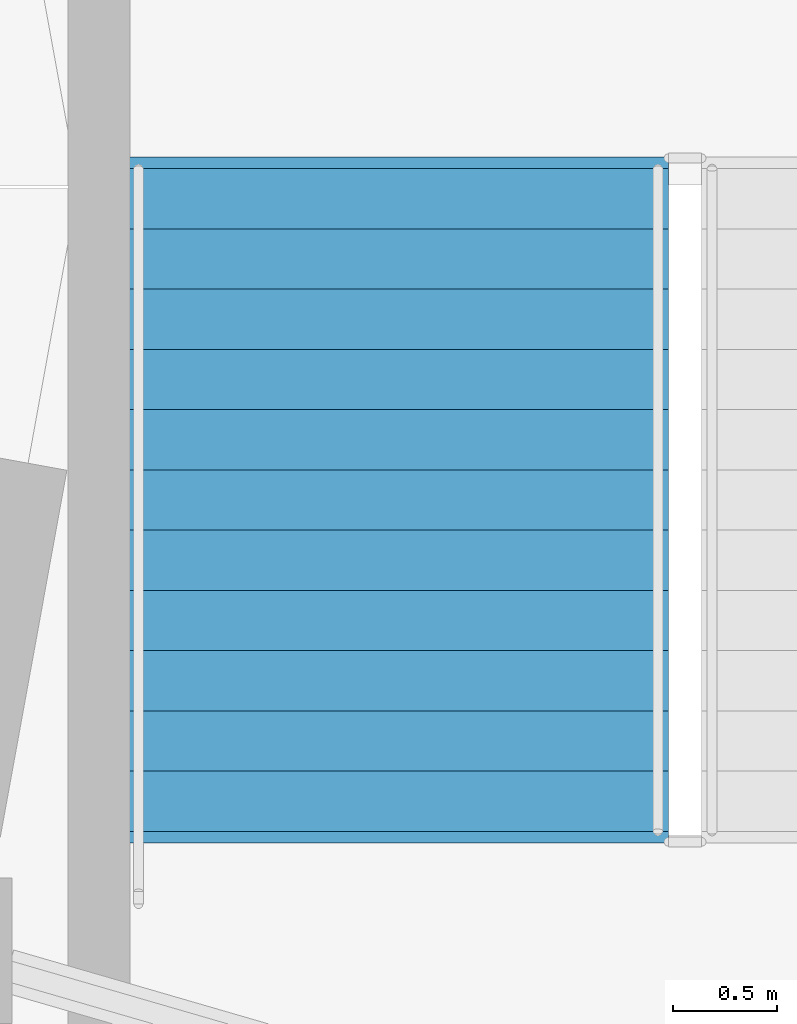
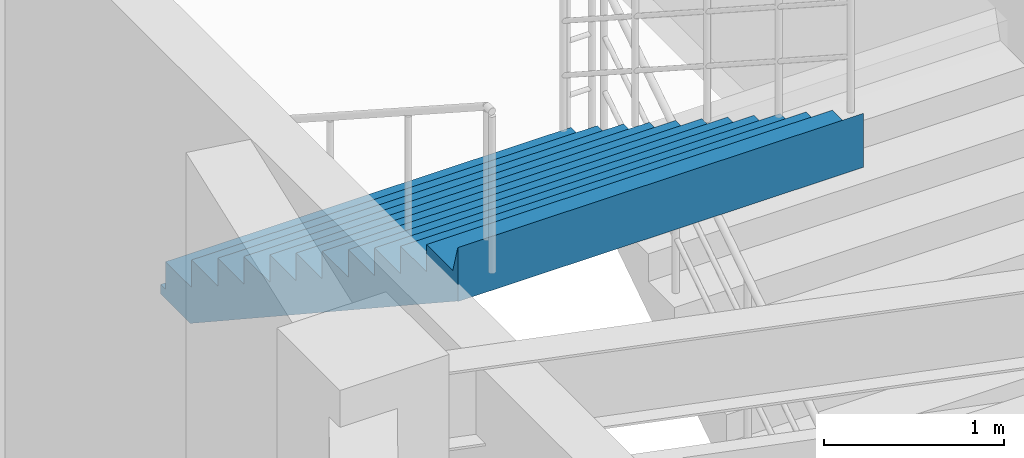
# One storey, part 35 of 45: 1 stair flight, 1 element without a shape of its own.
"""IFC4 building model written with IfcOpenShell, lengths in metres."""

from ifc_helpers import new_model, si_unit, direction, frame, origin, place, context, subcontext, project, spatial, polyline, outline, extrude, material, type_object, element, aggregate, save


model = new_model("IFC4")

# Units and contexts
model_context = context("Model", 3, precision=1e-05, world=origin(), true_north=direction((0.0, 1.0)))
body_context = subcontext(model_context, "Body", "Model", "MODEL_VIEW")
ifc_project = project(units=[si_unit("LENGTHUNIT", "METRE"), si_unit("AREAUNIT", "SQUARE_METRE"), si_unit("VOLUMEUNIT", "CUBIC_METRE"), si_unit("PLANEANGLEUNIT", "RADIAN"), si_unit("MASSUNIT", "GRAM", prefix="KILO")], contexts=[model_context])

# Site, building, storey
site_placement = place(None, origin())
site = spatial("IfcSite", under=ifc_project, at=site_placement, CompositionType="ELEMENT")
building_placement = place(site_placement, origin())
building = spatial("IfcBuilding", under=site, at=building_placement, Name="Cinderbank Siding Concert Hall", CompositionType="ELEMENT")
storey_placement = place(building_placement, frame((0.0, 0.0, 19.199951171875)))
storey = spatial("IfcBuildingStorey", under=building, at=storey_placement, Name="L05", CompositionType="ELEMENT", Elevation=19.199951171875)

# Stair, stair flight
ifc_material = material(Name="Reinforced concrete AS 3600 N50 (50 MPa)", Category="concrete")
stair_type = type_object("IfcStairType", Name="STR-B Dogleg Exit Stair 2600mm", PredefinedType="HALF_TURN_STAIR", material=ifc_material)
stair_placement = place(storey_placement, origin())
stair = element("IfcStair", 1, at=stair_placement, inside=storey, type_object=stair_type, Name="L05 Fire-isolated Exit Stair ST-03", PredefinedType="HALF_TURN_STAIR")
stair_flight_type = type_object("IfcStairFlightType", Name="SFL-B Concrete Stair Flight 2600mm", PredefinedType="STRAIGHT", material=ifc_material)
stair_flight_placement = place(storey_placement, frame((143.139892578125, 44.090087890625, 2.25), z_axis=(0.0, 0.0, 1.0), x_axis=(0.0, -1.0, 0.0)))
stair_flight = element("IfcStairFlight", 2, at=stair_flight_placement, type_object=stair_flight_type, Name="ST-03 flight 2", NumberOfRisers=12, NumberOfTreads=11, PredefinedType="STRAIGHT", RiserHeight=0.1875, TreadLength=0.29, context=body_context, shape_type="SweptSolid", body=[
    extrude(outline(polyline([(0.0, 0.0), (0.0, 0.1875), (0.2900390625, 0.1875), (0.2900390625, 0.375), (0.580078125, 0.375), (0.580078125, 0.5625), (0.8701171875, 0.5625), (0.8701171875, 0.75), (1.159912109375, 0.75), (1.159912109375, 0.9375), (1.449951171875, 0.9375), (1.449951171875, 1.125), (1.739990234375, 1.125), (1.739990234375, 1.3125), (2.030029296875, 1.3125), (2.030029296875, 1.5), (2.320068359375, 1.5), (2.320068359375, 1.6875), (2.610107421875, 1.6875), (2.610107421875, 1.875), (2.89990234375, 1.875), (2.89990234375, 2.0625), (3.18994140625, 2.0625), (3.244873046875, 2.25), (3.244873046875, 1.884033203125), (3.24462890625, 1.88427734375), (3.24462890625, 1.884521484375), (3.24462890625, 1.884765625), (3.24462890625, 1.885009765625), (3.24462890625, 1.88525390625), (3.24462890625, 1.885498046875), (3.24462890625, 1.8857421875), (3.24462890625, 1.885986328125), (3.24462890625, 1.88623046875), (3.24462890625, 1.886474609375), (3.24462890625, 1.88671875), (3.24462890625, 1.886962890625), (3.244384765625, 1.886962890625), (3.244384765625, 1.88671875), (3.244384765625, 1.886474609375), (3.244384765625, 1.88623046875), (3.244384765625, 1.885986328125), (3.244384765625, 1.8857421875), (3.244384765625, 1.885498046875), (3.244384765625, 1.88525390625), (3.244384765625, 1.885009765625), (3.244384765625, 1.884765625), (3.244384765625, 1.884521484375), (3.244384765625, 1.88427734375), (3.244384765625, 1.884033203125), (3.244140625, 1.88427734375), (3.244140625, 1.884521484375), (3.244140625, 1.884765625), (3.244140625, 1.885009765625), (3.244140625, 1.88525390625), (3.244140625, 1.885498046875), (3.244140625, 1.8857421875), (3.244140625, 1.885986328125), (3.244140625, 1.88623046875), (3.244140625, 1.886474609375), (3.244140625, 1.88671875), (3.244140625, 1.886962890625), (3.243896484375, 1.886962890625), (3.243896484375, 1.88671875), (3.243896484375, 1.886474609375), (3.243896484375, 1.88623046875), (3.243896484375, 1.885986328125), (3.243896484375, 1.8857421875), (3.243896484375, 1.885498046875), (3.243896484375, 1.88525390625), (3.243896484375, 1.885009765625), (3.243896484375, 1.884765625), (3.243896484375, 1.884521484375), (3.243896484375, 1.88427734375), (3.243896484375, 1.884033203125), (3.24365234375, 1.88427734375), (3.24365234375, 1.884521484375), (3.24365234375, 1.884765625), (3.24365234375, 1.885009765625), (3.24365234375, 1.88525390625), (3.24365234375, 1.885498046875), (3.24365234375, 1.8857421875), (3.24365234375, 1.885986328125), (3.24365234375, 1.88623046875), (3.24365234375, 1.886474609375), (3.24365234375, 1.88671875), (3.24365234375, 1.886962890625), (3.243408203125, 1.886962890625), (3.243408203125, 1.88671875), (3.243408203125, 1.886474609375), (3.243408203125, 1.88623046875), (3.243408203125, 1.885986328125), (3.243408203125, 1.8857421875), (3.243408203125, 1.885498046875), (3.243408203125, 1.88525390625), (3.243408203125, 1.885009765625), (3.243408203125, 1.884765625), (3.243408203125, 1.884521484375), (3.243408203125, 1.88427734375), (3.243408203125, 1.884033203125), (3.2431640625, 1.88427734375), (3.2431640625, 1.884521484375), (3.2431640625, 1.884765625), (3.2431640625, 1.885009765625), (3.2431640625, 1.88525390625), (3.2431640625, 1.885498046875), (3.2431640625, 1.8857421875), (3.2431640625, 1.885986328125), (3.2431640625, 1.88623046875), (3.2431640625, 1.886474609375), (3.2431640625, 1.88671875), (3.2431640625, 1.886962890625), (3.242919921875, 1.886962890625), (3.242919921875, 1.88671875), (3.242919921875, 1.886474609375), (3.242919921875, 1.88623046875), (3.242919921875, 1.885986328125), (3.242919921875, 1.8857421875), (3.242919921875, 1.885498046875), (3.242919921875, 1.88525390625), (3.242919921875, 1.885009765625), (3.242919921875, 1.884765625), (3.242919921875, 1.884521484375), (3.242919921875, 1.88427734375), (3.242919921875, 1.884033203125), (3.24267578125, 1.88427734375), (3.24267578125, 1.884521484375), (3.24267578125, 1.884765625), (3.24267578125, 1.885009765625), (3.24267578125, 1.88525390625), (3.24267578125, 1.885498046875), (3.24267578125, 1.8857421875), (3.24267578125, 1.885986328125), (3.24267578125, 1.88623046875), (3.24267578125, 1.886474609375), (3.24267578125, 1.88671875), (3.24267578125, 1.886962890625), (3.242431640625, 1.886962890625), (3.242431640625, 1.88671875), (3.242431640625, 1.886474609375), (3.242431640625, 1.88623046875), (3.242431640625, 1.885986328125), (3.242431640625, 1.8857421875), (3.242431640625, 1.885498046875), (3.242431640625, 1.88525390625), (3.242431640625, 1.885009765625), (3.242431640625, 1.884765625), (3.242431640625, 1.884521484375), (3.242431640625, 1.88427734375), (3.242431640625, 1.884033203125), (3.2421875, 1.88427734375), (3.2421875, 1.884521484375), (3.2421875, 1.884765625), (3.2421875, 1.885009765625), (3.2421875, 1.88525390625), (3.2421875, 1.885498046875), (3.2421875, 1.8857421875), (3.2421875, 1.885986328125), (3.2421875, 1.88623046875), (3.2421875, 1.886474609375), (3.2421875, 1.88671875), (3.2421875, 1.886962890625), (3.241943359375, 1.886962890625), (3.241943359375, 1.88671875), (3.241943359375, 1.886474609375), (3.241943359375, 1.88623046875), (3.241943359375, 1.885986328125), (3.241943359375, 1.8857421875), (3.241943359375, 1.885498046875), (3.241943359375, 1.88525390625), (3.241943359375, 1.885009765625), (3.241943359375, 1.884765625), (3.241943359375, 1.884521484375), (3.241943359375, 1.88427734375), (3.241943359375, 1.884033203125), (3.24169921875, 1.88427734375), (3.24169921875, 1.884521484375), (3.24169921875, 1.884765625), (3.24169921875, 1.885009765625), (3.24169921875, 1.88525390625), (3.24169921875, 1.885498046875), (3.24169921875, 1.8857421875), (3.24169921875, 1.885986328125), (3.24169921875, 1.88623046875), (3.24169921875, 1.886474609375), (3.24169921875, 1.88671875), (3.24169921875, 1.886962890625), (3.241455078125, 1.886962890625), (3.241455078125, 1.88671875), (3.241455078125, 1.886474609375), (3.241455078125, 1.88623046875), (3.241455078125, 1.885986328125), (3.241455078125, 1.8857421875), (3.241455078125, 1.885498046875), (3.241455078125, 1.88525390625), (3.241455078125, 1.885009765625), (3.241455078125, 1.884765625), (3.241455078125, 1.884521484375), (3.241455078125, 1.88427734375), (3.241455078125, 1.884033203125), (3.2412109375, 1.88427734375), (3.2412109375, 1.884521484375), (3.2412109375, 1.884765625), (3.2412109375, 1.885009765625), (3.2412109375, 1.88525390625), (3.2412109375, 1.885498046875), (3.2412109375, 1.8857421875), (3.2412109375, 1.885986328125), (3.2412109375, 1.88623046875), (3.2412109375, 1.886474609375), (3.2412109375, 1.88671875), (3.2412109375, 1.886962890625), (3.240966796875, 1.886962890625), (3.240966796875, 1.88671875), (3.240966796875, 1.886474609375), (3.240966796875, 1.88623046875), (3.240966796875, 1.885986328125), (3.240966796875, 1.8857421875), (3.240966796875, 1.885498046875), (3.240966796875, 1.88525390625), (3.240966796875, 1.885009765625), (3.240966796875, 1.884765625), (3.240966796875, 1.884521484375), (3.240966796875, 1.88427734375), (3.240966796875, 1.884033203125), (3.24072265625, 1.88427734375), (3.24072265625, 1.884521484375), (3.24072265625, 1.884765625), (3.24072265625, 1.885009765625), (3.24072265625, 1.88525390625), (3.24072265625, 1.885498046875), (3.24072265625, 1.8857421875), (3.24072265625, 1.885986328125), (3.24072265625, 1.88623046875), (3.24072265625, 1.886474609375), (3.24072265625, 1.88671875), (3.24072265625, 1.886962890625), (3.240478515625, 1.886962890625), (3.240478515625, 1.88671875), (3.240478515625, 1.886474609375), (3.240478515625, 1.88623046875), (3.240478515625, 1.885986328125), (3.240478515625, 1.8857421875), (3.240478515625, 1.885498046875), (3.240478515625, 1.88525390625), (3.240478515625, 1.885009765625), (3.240478515625, 1.884765625), (3.240478515625, 1.884521484375), (3.240478515625, 1.88427734375), (3.240478515625, 1.884033203125), (3.240234375, 1.88427734375), (3.240234375, 1.884521484375), (3.240234375, 1.884765625), (3.240234375, 1.885009765625), (3.240234375, 1.88525390625), (3.240234375, 1.885498046875), (3.240234375, 1.8857421875), (3.240234375, 1.885986328125), (3.240234375, 1.88623046875), (3.240234375, 1.886474609375), (3.240234375, 1.88671875), (3.240234375, 1.886962890625), (3.239990234375, 1.886962890625), (3.239990234375, 1.88671875), (3.239990234375, 1.886474609375), (3.239990234375, 1.88623046875), (3.239990234375, 1.885986328125), (3.239990234375, 1.8857421875), (3.239990234375, 1.885498046875), (3.239990234375, 1.88525390625), (3.239990234375, 1.885009765625), (3.239990234375, 1.884765625), (3.239990234375, 1.884521484375), (3.239990234375, 1.88427734375), (3.239990234375, 1.884033203125), (3.23974609375, 1.88427734375), (3.23974609375, 1.884521484375), (3.23974609375, 1.884765625), (3.23974609375, 1.885009765625), (3.23974609375, 1.88525390625), (3.23974609375, 1.885498046875), (3.23974609375, 1.8857421875), (3.23974609375, 1.885986328125), (3.23974609375, 1.88623046875), (3.23974609375, 1.886474609375), (3.23974609375, 1.88671875), (3.23974609375, 1.886962890625), (3.239501953125, 1.886962890625), (3.239501953125, 1.88671875), (3.239501953125, 1.886474609375), (3.239501953125, 1.88623046875), (3.239501953125, 1.885986328125), (3.239501953125, 1.8857421875), (3.239501953125, 1.885498046875), (3.239501953125, 1.88525390625), (3.239501953125, 1.885009765625), (3.239501953125, 1.884765625), (3.239501953125, 1.884521484375), (3.239501953125, 1.88427734375), (3.239501953125, 1.884033203125), (3.2392578125, 1.88427734375), (3.2392578125, 1.884521484375), (3.2392578125, 1.884765625), (3.2392578125, 1.885009765625), (3.2392578125, 1.88525390625), (3.2392578125, 1.885498046875), (3.2392578125, 1.8857421875), (3.2392578125, 1.885986328125), (3.2392578125, 1.88623046875), (3.2392578125, 1.886474609375), (3.2392578125, 1.88671875), (3.2392578125, 1.886962890625), (3.239013671875, 1.886962890625), (3.239013671875, 1.88671875), (3.239013671875, 1.886474609375), (3.239013671875, 1.88623046875), (3.239013671875, 1.885986328125), (3.239013671875, 1.8857421875), (3.239013671875, 1.885498046875), (3.239013671875, 1.88525390625), (3.239013671875, 1.885009765625), (3.239013671875, 1.884765625), (3.239013671875, 1.884521484375), (3.239013671875, 1.88427734375), (3.239013671875, 1.884033203125), (3.23876953125, 1.88427734375), (3.23876953125, 1.884521484375), (3.23876953125, 1.884765625), (3.23876953125, 1.885009765625), (3.23876953125, 1.88525390625), (3.23876953125, 1.885498046875), (3.23876953125, 1.8857421875), (3.23876953125, 1.885986328125), (3.23876953125, 1.88623046875), (3.23876953125, 1.886474609375), (3.23876953125, 1.88671875), (3.23876953125, 1.886962890625), (3.238525390625, 1.886962890625), (3.238525390625, 1.88671875), (3.238525390625, 1.886474609375), (3.238525390625, 1.88623046875), (3.238525390625, 1.885986328125), (3.238525390625, 1.8857421875), (3.238525390625, 1.885498046875), (3.238525390625, 1.88525390625), (3.238525390625, 1.885009765625), (3.238525390625, 1.884765625), (3.238525390625, 1.884521484375), (3.238525390625, 1.88427734375), (3.238525390625, 1.884033203125), (0.276123046875, -0.06396484375), (-0.048583984375, -0.063720703125), (-0.048583984375, -0.0634765625), (-0.048583984375, -0.063232421875), (-0.048583984375, -0.06298828125), (-0.048583984375, -0.062744140625), (-0.048583984375, -0.0625), (-0.048583984375, -0.062255859375), (-0.048583984375, -0.06201171875), (-0.048583984375, -0.061767578125), (-0.048583984375, -0.0615234375), (-0.048583984375, -0.061279296875), (-0.048583984375, -0.06103515625), (-0.048828125, -0.06103515625), (-0.048828125, -0.061279296875), (-0.048828125, -0.0615234375), (-0.048828125, -0.061767578125), (-0.048828125, -0.06201171875), (-0.048828125, -0.062255859375), (-0.048828125, -0.0625), (-0.048828125, -0.062744140625), (-0.048828125, -0.06298828125), (-0.048828125, -0.063232421875), (-0.048828125, -0.0634765625), (-0.048828125, -0.063720703125), (-0.048828125, -0.06396484375), (-0.049072265625, -0.063720703125), (-0.049072265625, -0.0634765625), (-0.049072265625, -0.063232421875), (-0.049072265625, -0.06298828125), (-0.049072265625, -0.062744140625), (-0.049072265625, -0.0625), (-0.049072265625, -0.062255859375), (-0.049072265625, -0.06201171875), (-0.049072265625, -0.061767578125), (-0.049072265625, -0.0615234375), (-0.049072265625, -0.061279296875), (-0.049072265625, -0.06103515625), (-0.04931640625, -0.06103515625), (-0.04931640625, -0.061279296875), (-0.04931640625, -0.0615234375), (-0.04931640625, -0.061767578125), (-0.04931640625, -0.06201171875), (-0.04931640625, -0.062255859375), (-0.04931640625, -0.0625), (-0.04931640625, -0.062744140625), (-0.04931640625, -0.06298828125), (-0.04931640625, -0.063232421875), (-0.04931640625, -0.0634765625), (-0.04931640625, -0.063720703125), (-0.04931640625, -0.06396484375), (-0.049560546875, -0.063720703125), (-0.049560546875, -0.0634765625), (-0.049560546875, -0.063232421875), (-0.049560546875, -0.06298828125), (-0.049560546875, -0.062744140625), (-0.049560546875, -0.0625), (-0.049560546875, -0.062255859375), (-0.049560546875, -0.06201171875), (-0.049560546875, -0.061767578125), (-0.049560546875, -0.0615234375), (-0.049560546875, -0.061279296875), (-0.049560546875, -0.06103515625), (-0.0498046875, -0.06103515625), (-0.0498046875, -0.061279296875), (-0.0498046875, -0.0615234375), (-0.0498046875, -0.061767578125), (-0.0498046875, -0.06201171875), (-0.0498046875, -0.062255859375), (-0.0498046875, -0.0625), (-0.0498046875, -0.062744140625), (-0.0498046875, -0.06298828125), (-0.0498046875, -0.063232421875), (-0.0498046875, -0.0634765625), (-0.0498046875, -0.063720703125), (-0.0498046875, -0.06396484375), (-0.050048828125, -0.063720703125), (-0.050048828125, -0.0634765625), (-0.050048828125, -0.063232421875), (-0.050048828125, -0.06298828125), (-0.050048828125, -0.062744140625), (-0.050048828125, -0.0625), (-0.050048828125, -0.062255859375), (-0.050048828125, -0.06201171875), (-0.050048828125, -0.061767578125), (-0.050048828125, -0.0615234375), (-0.050048828125, -0.061279296875), (-0.050048828125, -0.06103515625), (-0.05029296875, -0.06103515625), (-0.05029296875, -0.061279296875), (-0.05029296875, -0.0615234375), (-0.05029296875, -0.061767578125), (-0.05029296875, -0.06201171875), (-0.05029296875, -0.062255859375), (-0.05029296875, -0.0625), (-0.05029296875, -0.062744140625), (-0.05029296875, -0.06298828125), (-0.05029296875, -0.063232421875), (-0.05029296875, -0.0634765625), (-0.05029296875, -0.063720703125), (-0.05029296875, -0.06396484375), (-0.050537109375, -0.063720703125), (-0.050537109375, -0.0634765625), (-0.050537109375, -0.063232421875), (-0.050537109375, -0.06298828125), (-0.050537109375, -0.062744140625), (-0.050537109375, -0.0625), (-0.050537109375, -0.062255859375), (-0.050537109375, -0.06201171875), (-0.050537109375, -0.061767578125), (-0.050537109375, -0.0615234375), (-0.050537109375, -0.061279296875), (-0.050537109375, -0.06103515625), (-0.05078125, -0.06103515625), (-0.05078125, -0.061279296875), (-0.05078125, -0.0615234375), (-0.05078125, -0.061767578125), (-0.05078125, -0.06201171875), (-0.05078125, -0.062255859375), (-0.05078125, -0.0625), (-0.05078125, -0.062744140625), (-0.05078125, -0.06298828125), (-0.05078125, -0.063232421875), (-0.05078125, -0.0634765625), (-0.05078125, -0.063720703125), (-0.05078125, -0.06396484375), (-0.051025390625, -0.063720703125), (-0.051025390625, -0.0634765625), (-0.051025390625, -0.063232421875), (-0.051025390625, -0.06298828125), (-0.051025390625, -0.062744140625), (-0.051025390625, -0.0625), (-0.051025390625, -0.062255859375), (-0.051025390625, -0.06201171875), (-0.051025390625, -0.061767578125), (-0.051025390625, -0.0615234375), (-0.051025390625, -0.061279296875), (-0.051025390625, -0.06103515625), (-0.05126953125, -0.06103515625), (-0.05126953125, -0.061279296875), (-0.05126953125, -0.0615234375), (-0.05126953125, -0.061767578125), (-0.05126953125, -0.06201171875), (-0.05126953125, -0.062255859375), (-0.05126953125, -0.0625), (-0.05126953125, -0.062744140625), (-0.05126953125, -0.06298828125), (-0.05126953125, -0.063232421875), (-0.05126953125, -0.0634765625), (-0.05126953125, -0.063720703125), (-0.05126953125, -0.06396484375), (-0.051513671875, -0.063720703125), (-0.051513671875, -0.0634765625), (-0.051513671875, -0.063232421875), (-0.051513671875, -0.06298828125), (-0.051513671875, -0.062744140625), (-0.051513671875, -0.0625), (-0.051513671875, -0.062255859375), (-0.051513671875, -0.06201171875), (-0.051513671875, -0.061767578125), (-0.051513671875, -0.0615234375), (-0.051513671875, -0.061279296875), (-0.051513671875, -0.06103515625), (-0.0517578125, -0.06103515625), (-0.0517578125, -0.061279296875), (-0.0517578125, -0.0615234375), (-0.0517578125, -0.061767578125), (-0.0517578125, -0.06201171875), (-0.0517578125, -0.062255859375), (-0.0517578125, -0.0625), (-0.0517578125, -0.062744140625), (-0.0517578125, -0.06298828125), (-0.0517578125, -0.063232421875), (-0.0517578125, -0.0634765625), (-0.0517578125, -0.063720703125), (-0.0517578125, -0.06396484375), (-0.052001953125, -0.063720703125), (-0.052001953125, -0.0634765625), (-0.052001953125, -0.063232421875), (-0.052001953125, -0.06298828125), (-0.052001953125, -0.062744140625), (-0.052001953125, -0.0625), (-0.052001953125, -0.062255859375), (-0.052001953125, -0.06201171875), (-0.052001953125, -0.061767578125), (-0.052001953125, -0.0615234375), (-0.052001953125, -0.061279296875), (-0.052001953125, -0.06103515625), (-0.05224609375, -0.06103515625), (-0.05224609375, -0.061279296875), (-0.05224609375, -0.0615234375), (-0.05224609375, -0.061767578125), (-0.05224609375, -0.06201171875), (-0.05224609375, -0.062255859375), (-0.05224609375, -0.0625), (-0.05224609375, -0.062744140625), (-0.05224609375, -0.06298828125), (-0.05224609375, -0.063232421875), (-0.05224609375, -0.0634765625), (-0.05224609375, -0.063720703125), (-0.05224609375, -0.06396484375), (-0.052490234375, -0.063720703125), (-0.052490234375, -0.0634765625), (-0.052490234375, -0.063232421875), (-0.052490234375, -0.06298828125), (-0.052490234375, -0.062744140625), (-0.052490234375, -0.0625), (-0.052490234375, -0.062255859375), (-0.052490234375, -0.06201171875), (-0.052490234375, -0.061767578125), (-0.052490234375, -0.0615234375), (-0.052490234375, -0.061279296875), (-0.052490234375, -0.06103515625), (-0.052734375, -0.06103515625), (-0.052734375, -0.061279296875), (-0.052734375, -0.0615234375), (-0.052734375, -0.061767578125), (-0.052734375, -0.06201171875), (-0.052734375, -0.062255859375), (-0.052734375, -0.0625), (-0.052734375, -0.062744140625), (-0.052734375, -0.06298828125), (-0.052734375, -0.063232421875), (-0.052734375, -0.0634765625), (-0.052734375, -0.063720703125), (-0.052734375, -0.06396484375), (-0.052978515625, -0.063720703125), (-0.052978515625, -0.0634765625), (-0.052978515625, -0.063232421875), (-0.052978515625, -0.06298828125), (-0.052978515625, -0.062744140625), (-0.052978515625, -0.0625), (-0.052978515625, -0.062255859375), (-0.052978515625, -0.06201171875), (-0.052978515625, -0.061767578125), (-0.052978515625, -0.0615234375), (-0.052978515625, -0.061279296875), (-0.052978515625, -0.06103515625), (-0.05322265625, -0.06103515625), (-0.05322265625, -0.061279296875), (-0.05322265625, -0.0615234375), (-0.05322265625, -0.061767578125), (-0.05322265625, -0.06201171875), (-0.05322265625, -0.062255859375), (-0.05322265625, -0.0625), (-0.05322265625, -0.062744140625), (-0.05322265625, -0.06298828125), (-0.05322265625, -0.063232421875), (-0.05322265625, -0.0634765625), (-0.05322265625, -0.063720703125), (-0.05322265625, -0.06396484375), (-0.053466796875, -0.063720703125), (-0.053466796875, -0.0634765625), (-0.053466796875, -0.063232421875), (-0.053466796875, -0.06298828125), (-0.053466796875, -0.062744140625), (-0.053466796875, -0.0625), (-0.053466796875, -0.062255859375), (-0.053466796875, -0.06201171875), (-0.053466796875, -0.061767578125), (-0.053466796875, -0.0615234375), (-0.053466796875, -0.061279296875), (-0.053466796875, -0.06103515625), (-0.0537109375, -0.06103515625), (-0.0537109375, -0.061279296875), (-0.0537109375, -0.0615234375), (-0.0537109375, -0.061767578125), (-0.0537109375, -0.06201171875), (-0.0537109375, -0.062255859375), (-0.0537109375, -0.0625), (-0.0537109375, -0.062744140625), (-0.0537109375, -0.06298828125), (-0.0537109375, -0.063232421875), (-0.0537109375, -0.0634765625), (-0.0537109375, -0.063720703125), (-0.0537109375, -0.06396484375), (-0.053955078125, -0.063720703125), (-0.053955078125, -0.0634765625), (-0.053955078125, -0.063232421875), (-0.053955078125, -0.06298828125), (-0.053955078125, -0.062744140625), (-0.053955078125, -0.0625), (-0.053955078125, -0.062255859375), (-0.053955078125, -0.06201171875), (-0.053955078125, -0.061767578125), (-0.053955078125, -0.0615234375), (-0.053955078125, -0.061279296875), (-0.053955078125, -0.06103515625), (-0.05419921875, -0.06103515625), (-0.05419921875, -0.061279296875), (-0.05419921875, -0.0615234375), (-0.05419921875, -0.061767578125), (-0.05419921875, -0.06201171875), (-0.05419921875, -0.062255859375), (-0.05419921875, -0.0625), (-0.05419921875, -0.062744140625), (-0.05419921875, -0.06298828125), (-0.05419921875, -0.063232421875), (-0.05419921875, -0.0634765625), (-0.05419921875, -0.063720703125), (-0.05419921875, -0.06396484375), (-0.054443359375, -0.063720703125), (-0.054443359375, -0.0634765625), (-0.054443359375, -0.063232421875), (-0.054443359375, -0.06298828125), (-0.054443359375, -0.062744140625), (-0.054443359375, -0.0625), (-0.054443359375, -0.062255859375), (-0.054443359375, -0.06201171875), (-0.054443359375, -0.061767578125), (-0.054443359375, -0.0615234375), (-0.054443359375, -0.061279296875), (-0.054443359375, -0.06103515625), (-0.0546875, -0.06103515625), (-0.0546875, -0.061279296875), (-0.0546875, -0.0615234375), (-0.0546875, -0.061767578125), (-0.0546875, -0.06201171875), (-0.0546875, -0.062255859375), (-0.0546875, -0.0625), (-0.0546875, -0.062744140625), (-0.0546875, -0.06298828125), (-0.0546875, -0.063232421875), (-0.0546875, -0.0634765625), (-0.0546875, -0.063720703125), (-0.0546875, -0.06396484375), (-0.054931640625, -0.06396484375), (-0.054931640625, 0.0), (0.0, 0.0)])), frame((0.0, 1.300048828125, 0.0), z_axis=(0.0, -1.0, 0.0), x_axis=(1.0, 0.0, 0.0)), (0.0, 0.0, 1.0), 2.60009765625),
])
aggregate(stair, [stair_flight])

save(model, "model.ifc")
